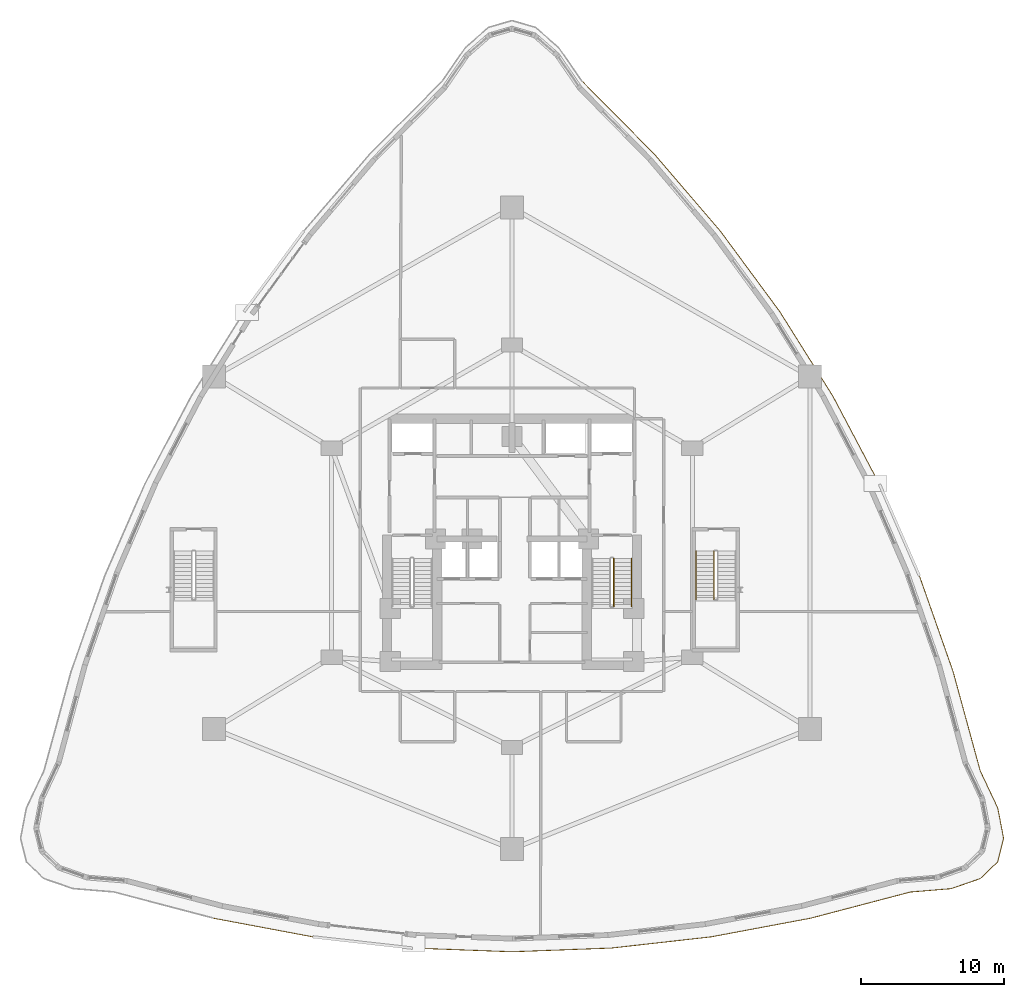
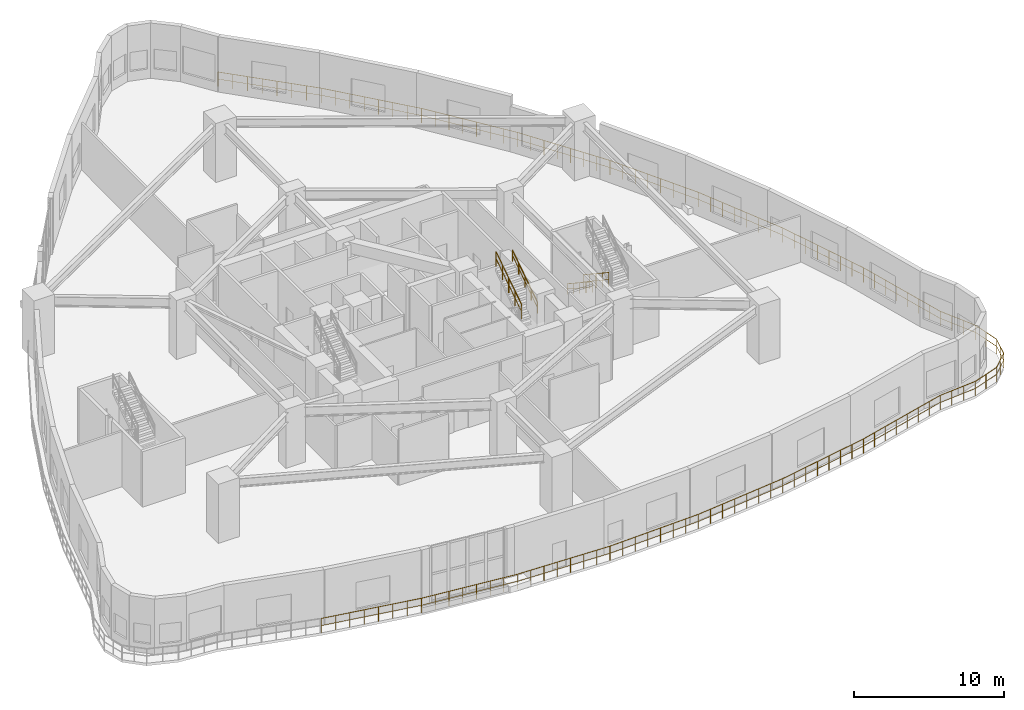
# One storey, part 21 of 23: 5 railings.
"""IFC4 building model written with IfcOpenShell, lengths in metres."""

from ifc_helpers import new_model, si_unit, direction, frame, origin, origin_2d, place, context, subcontext, project, spatial, circle, extrude, material, type_object, element, save


model = new_model("IFC4")

# Units and contexts
model_context = context("Model", 3, precision=1e-05, world=origin(), true_north=direction((0.0, 1.0)))
body_context = subcontext(model_context, "Body", "Model", "MODEL_VIEW")
ifc_project = project(units=[si_unit("LENGTHUNIT", "METRE"), si_unit("AREAUNIT", "SQUARE_METRE"), si_unit("VOLUMEUNIT", "CUBIC_METRE"), si_unit("PLANEANGLEUNIT", "RADIAN"), si_unit("MASSUNIT", "GRAM", prefix="KILO")], contexts=[model_context])

# Site, building, storey
site_placement = place(None, origin())
site = spatial("IfcSite", under=ifc_project, at=site_placement, CompositionType="ELEMENT")
building_placement = place(site_placement, origin())
building = spatial("IfcBuilding", under=site, at=building_placement, Name="Miruveldt Soraemaru", CompositionType="ELEMENT")
storey_placement = place(building_placement, frame((0.0, 0.0, 14.39990234375)))
storey = spatial("IfcBuildingStorey", under=building, at=storey_placement, Name="L04", CompositionType="ELEMENT", Elevation=14.39990234375)

# Railings
ifc_material_1 = material(Name="Anodised aluminium EN AW-6063 T6", Category="aluminium")
railing_type_1 = type_object("IfcRailingType", Name="RAIL-GUARD-1200", PredefinedType="GUARDRAIL", material=ifc_material_1)
railing_1_placement = place(storey_placement, frame((23.139892578125, 17.57470703125, 0.0)))
element("IfcRailing", 1, at=railing_1_placement, inside=storey, type_object=railing_type_1, Name="L04 Planted Terrace Perimeter Guardrail (B)", PredefinedType="GUARDRAIL", context=body_context, shape_type="SweptSolid", body=[
    extrude(circle(Radius=0.02392578125, at=origin_2d()), frame((0.0, 0.0, 1.17578125), z_axis=(0.982874530837, -0.184276033799, 0.0), x_axis=(0.184276033799, 0.982874530837, 0.0)), (0.0, 0.0, 1.0), 7.07470703125),
    extrude(circle(Radius=0.01611328125, at=origin_2d()), frame((0.0, 0.0, 0.60009765625), z_axis=(0.982874530837, -0.184276033799, 0.0), x_axis=(0.184276033799, 0.982874530837, 0.0)), (0.0, 0.0, 1.0), 7.07470703125),
    extrude(circle(Radius=0.02392578125, at=origin_2d()), frame((6.95361328125, -1.3037109375, 1.17578125), z_axis=(0.993731316159, -0.111794773068, 0.0), x_axis=(0.111794773068, 0.993731316159, 0.0)), (0.0, 0.0, 1.0), 6.9970703125),
    extrude(circle(Radius=0.01611328125, at=origin_2d()), frame((6.95361328125, -1.3037109375, 0.60009765625), z_axis=(0.993731316159, -0.111794773068, 0.0), x_axis=(0.111794773068, 0.993731316159, 0.0)), (0.0, 0.0, 1.0), 6.9970703125),
    extrude(circle(Radius=0.02392578125, at=origin_2d()), frame((13.90673828125, -2.0859375, 1.17578125), z_axis=(0.999297664979, -0.037472346694, 0.0), x_axis=(0.037472346694, 0.999297664979, 0.0)), (0.0, 0.0, 1.0), 6.958251953125),
    extrude(circle(Radius=0.01611328125, at=origin_2d()), frame((13.90673828125, -2.0859375, 0.60009765625), z_axis=(0.999297664979, -0.037472346694, 0.0), x_axis=(0.037472346694, 0.999297664979, 0.0)), (0.0, 0.0, 1.0), 6.958251953125),
    extrude(circle(Radius=0.02392578125, at=origin_2d()), frame((20.860107421875, -2.3466796875, 1.17578125), z_axis=(0.999297664979, 0.037472346694, 0.0), x_axis=(-0.037472346694, 0.999297664979, 0.0)), (0.0, 0.0, 1.0), 6.958251953125),
    extrude(circle(Radius=0.01611328125, at=origin_2d()), frame((20.860107421875, -2.3466796875, 0.60009765625), z_axis=(0.999297664979, 0.037472346694, 0.0), x_axis=(-0.037472346694, 0.999297664979, 0.0)), (0.0, 0.0, 1.0), 6.958251953125),
    extrude(circle(Radius=0.02392578125, at=origin_2d()), frame((27.8134765625, -2.0859375, 1.17578125), z_axis=(0.993731316159, 0.111794773068, 0.0), x_axis=(-0.111794773068, 0.993731316159, 0.0)), (0.0, 0.0, 1.0), 6.9970703125),
    extrude(circle(Radius=0.01611328125, at=origin_2d()), frame((27.8134765625, -2.0859375, 0.60009765625), z_axis=(0.993731316159, 0.111794773068, 0.0), x_axis=(-0.111794773068, 0.993731316159, 0.0)), (0.0, 0.0, 1.0), 6.9970703125),
    extrude(circle(Radius=0.02392578125, at=origin_2d()), frame((34.7666015625, -1.3037109375, 1.17578125), z_axis=(0.982874530837, 0.184276033799, 0.0), x_axis=(-0.184276033799, 0.982874530837, 0.0)), (0.0, 0.0, 1.0), 7.07470703125),
    extrude(circle(Radius=0.01611328125, at=origin_2d()), frame((34.7666015625, -1.3037109375, 0.60009765625), z_axis=(0.982874530837, 0.184276033799, 0.0), x_axis=(-0.184276033799, 0.982874530837, 0.0)), (0.0, 0.0, 1.0), 7.07470703125),
    extrude(circle(Radius=0.02392578125, at=origin_2d()), frame((41.72021484375, 0.0, 1.17578125), z_axis=(0.967230965379, 0.253898128412, 0.0), x_axis=(-0.253898128412, 0.967230965379, 0.0)), (0.0, 0.0, 1.0), 7.188720703125),
    extrude(circle(Radius=0.01611328125, at=origin_2d()), frame((41.72021484375, 0.0, 0.60009765625), z_axis=(0.967230965379, 0.253898128412, 0.0), x_axis=(-0.253898128412, 0.967230965379, 0.0)), (0.0, 0.0, 1.0), 7.188720703125),
    extrude(circle(Radius=0.02392578125, at=origin_2d()), frame((48.67333984375, 1.8251953125, 1.17578125), z_axis=(0.99661546035, 0.082204769877, 0.0), x_axis=(-0.082204769877, 0.99661546035, 0.0)), (0.0, 0.0, 1.0), 2.860107421875),
    extrude(circle(Radius=0.01611328125, at=origin_2d()), frame((48.67333984375, 1.8251953125, 0.60009765625), z_axis=(0.99661546035, 0.082204769877, 0.0), x_axis=(-0.082204769877, 0.99661546035, 0.0)), (0.0, 0.0, 1.0), 2.860107421875),
    extrude(circle(Radius=0.02392578125, at=origin_2d()), frame((51.523681640625, 2.060302734375, 1.17578125), z_axis=(0.94490117058, 0.327355735916, 0.0), x_axis=(-0.327355735916, 0.94490117058, 0.0)), (0.0, 0.0, 1.0), 2.154541015625),
    extrude(circle(Radius=0.01611328125, at=origin_2d()), frame((51.523681640625, 2.060302734375, 0.60009765625), z_axis=(0.94490117058, 0.327355735916, 0.0), x_axis=(-0.327355735916, 0.94490117058, 0.0)), (0.0, 0.0, 1.0), 2.154541015625),
    extrude(circle(Radius=0.02392578125, at=origin_2d()), frame((53.5595703125, 2.765625, 1.17578125), z_axis=(0.720586694401, 0.693364850459, 0.0), x_axis=(-0.693364850459, 0.720586694401, 0.0)), (0.0, 0.0, 1.0), 1.695068359375),
    extrude(circle(Radius=0.01611328125, at=origin_2d()), frame((53.5595703125, 2.765625, 0.60009765625), z_axis=(0.720586694401, 0.693364850459, 0.0), x_axis=(-0.693364850459, 0.720586694401, 0.0)), (0.0, 0.0, 1.0), 1.695068359375),
    extrude(circle(Radius=0.02392578125, at=origin_2d()), frame((54.781005859375, 3.94091796875, 1.17578125), z_axis=(0.240196989846, 0.9707241658, 0.0), x_axis=(-0.9707241658, 0.240196989846, 0.0)), (0.0, 0.0, 1.0), 1.6953125),
    extrude(circle(Radius=0.01611328125, at=origin_2d()), frame((54.781005859375, 3.94091796875, 0.60009765625), z_axis=(0.240196989846, 0.9707241658, 0.0), x_axis=(-0.9707241658, 0.240196989846, 0.0)), (0.0, 0.0, 1.0), 1.6953125),
    extrude(circle(Radius=0.02392578125, at=origin_2d()), frame((55.188232421875, 5.586669921875, 1.17578125), z_axis=(-0.189007097064, 0.981975721319, 0.0), x_axis=(-0.981975721319, -0.189007097064, 0.0)), (0.0, 0.0, 1.0), 2.154541015625),
    extrude(circle(Radius=0.01611328125, at=origin_2d()), frame((55.188232421875, 5.586669921875, 0.60009765625), z_axis=(-0.189007097064, 0.981975721319, 0.0), x_axis=(-0.981975721319, -0.189007097064, 0.0)), (0.0, 0.0, 1.0), 2.154541015625),
    extrude(circle(Radius=0.02392578125, at=origin_2d()), frame((54.781005859375, 7.702392578125, 1.17578125), z_axis=(-0.427091616751, 0.904208355912, 0.0), x_axis=(-0.904208355912, -0.427091616751, 0.0)), (0.0, 0.0, 1.0), 2.85986328125),
    extrude(circle(Radius=0.01611328125, at=origin_2d()), frame((54.781005859375, 7.702392578125, 0.60009765625), z_axis=(-0.427091616751, 0.904208355912, 0.0), x_axis=(-0.904208355912, -0.427091616751, 0.0)), (0.0, 0.0, 1.0), 2.85986328125),
    extrude(circle(Radius=0.02392578125, at=origin_2d()), frame((53.5595703125, 10.288330078125, 1.17578125), z_axis=(-0.263740926567, 0.964593553604, 0.0), x_axis=(-0.964593553604, -0.263740926567, 0.0)), (0.0, 0.0, 1.0), 7.18896484375),
    extrude(circle(Radius=0.01611328125, at=origin_2d()), frame((53.5595703125, 10.288330078125, 0.60009765625), z_axis=(-0.263740926567, 0.964593553604, 0.0), x_axis=(-0.964593553604, -0.263740926567, 0.0)), (0.0, 0.0, 1.0), 7.18896484375),
    extrude(circle(Radius=0.02392578125, at=origin_2d()), frame((51.66357421875, 17.22265625, 1.17578125), z_axis=(-0.33184877494, 0.943332598064, 0.0), x_axis=(-0.943332598064, -0.33184877494, 0.0)), (0.0, 0.0, 1.0), 7.074462890625),
    extrude(circle(Radius=0.01611328125, at=origin_2d()), frame((51.66357421875, 17.22265625, 0.60009765625), z_axis=(-0.33184877494, 0.943332598064, 0.0), x_axis=(-0.943332598064, -0.33184877494, 0.0)), (0.0, 0.0, 1.0), 7.074462890625),
    extrude(circle(Radius=0.02392578125, at=origin_2d()), frame((49.31591796875, 23.896240234375, 1.17578125), z_axis=(-0.400062759218, 0.916487746065, 0.0), x_axis=(-0.916487746065, -0.400062759218, 0.0)), (0.0, 0.0, 1.0), 6.997314453125),
    extrude(circle(Radius=0.01611328125, at=origin_2d()), frame((49.31591796875, 23.896240234375, 0.60009765625), z_axis=(-0.400062759218, 0.916487746065, 0.0), x_axis=(-0.916487746065, -0.400062759218, 0.0)), (0.0, 0.0, 1.0), 6.997314453125),
    extrude(circle(Radius=0.02392578125, at=origin_2d()), frame((46.5166015625, 30.30908203125, 1.17578125), z_axis=(-0.467184692554, 0.88415974973, 0.0), x_axis=(-0.88415974973, -0.467184692554, 0.0)), (0.0, 0.0, 1.0), 6.958251953125),
    extrude(circle(Radius=0.01611328125, at=origin_2d()), frame((46.5166015625, 30.30908203125, 0.60009765625), z_axis=(-0.467184692554, 0.88415974973, 0.0), x_axis=(-0.88415974973, -0.467184692554, 0.0)), (0.0, 0.0, 1.0), 6.958251953125),
    extrude(circle(Radius=0.02392578125, at=origin_2d()), frame((43.265869140625, 36.461181640625, 1.17578125), z_axis=(-0.532078848531, 0.846694808621, 0.0), x_axis=(-0.846694808621, -0.532078848531, 0.0)), (0.0, 0.0, 1.0), 6.958251953125),
    extrude(circle(Radius=0.01611328125, at=origin_2d()), frame((43.265869140625, 36.461181640625, 0.60009765625), z_axis=(-0.532078848531, 0.846694808621, 0.0), x_axis=(-0.846694808621, -0.532078848531, 0.0)), (0.0, 0.0, 1.0), 6.958251953125),
    extrude(circle(Radius=0.02392578125, at=origin_2d()), frame((39.5634765625, 42.352783203125, 1.17578125), z_axis=(-0.593678581032, 0.804702269429, 0.0), x_axis=(-0.804702269429, -0.593678581032, 0.0)), (0.0, 0.0, 1.0), 6.9970703125),
    extrude(circle(Radius=0.01611328125, at=origin_2d()), frame((39.5634765625, 42.352783203125, 0.60009765625), z_axis=(-0.593678581032, 0.804702269429, 0.0), x_axis=(-0.804702269429, -0.593678581032, 0.0)), (0.0, 0.0, 1.0), 6.9970703125),
    extrude(circle(Radius=0.02392578125, at=origin_2d()), frame((35.409423828125, 47.9833984375, 1.17578125), z_axis=(-0.65103291117, 0.759049503375, 0.0), x_axis=(-0.759049503375, -0.65103291117, 0.0)), (0.0, 0.0, 1.0), 7.074462890625),
    extrude(circle(Radius=0.01611328125, at=origin_2d()), frame((35.409423828125, 47.9833984375, 0.60009765625), z_axis=(-0.65103291117, 0.759049503375, 0.0), x_axis=(-0.759049503375, -0.65103291117, 0.0)), (0.0, 0.0, 1.0), 7.074462890625),
    extrude(circle(Radius=0.02392578125, at=origin_2d()), frame((30.8037109375, 53.353271484375, 1.17578125), z_axis=(-0.703521437721, 0.71067403686, 0.0), x_axis=(-0.71067403686, -0.703521437721, 0.0)), (0.0, 0.0, 1.0), 7.1337890625),
    extrude(circle(Radius=0.01611328125, at=origin_2d()), frame((30.8037109375, 53.353271484375, 0.60009765625), z_axis=(-0.703521437721, 0.71067403686, 0.0), x_axis=(-0.71067403686, -0.703521437721, 0.0)), (0.0, 0.0, 1.0), 7.1337890625),
    extrude(circle(Radius=0.02099609375, at=origin_2d()), origin(), (0.0, 0.0, 1.0), 1.15185546875),
    extrude(circle(Radius=0.02099609375, at=origin_2d()), frame((0.993408203125, -0.186279296875, 0.0)), (0.0, 0.0, 1.0), 1.15185546875),
    extrude(circle(Radius=0.02099609375, at=origin_2d()), frame((1.98681640625, -0.37255859375, 0.0)), (0.0, 0.0, 1.0), 1.15185546875),
    extrude(circle(Radius=0.02099609375, at=origin_2d()), frame((2.980224609375, -0.558837890625, 0.0)), (0.0, 0.0, 1.0), 1.15185546875),
    extrude(circle(Radius=0.02099609375, at=origin_2d()), frame((3.973388671875, -0.744873046875, 0.0)), (0.0, 0.0, 1.0), 1.15185546875),
    extrude(circle(Radius=0.02099609375, at=origin_2d()), frame((4.966796875, -0.93115234375, 0.0)), (0.0, 0.0, 1.0), 1.15185546875),
    extrude(circle(Radius=0.02099609375, at=origin_2d()), frame((5.960205078125, -1.117431640625, 0.0)), (0.0, 0.0, 1.0), 1.15185546875),
    extrude(circle(Radius=0.02099609375, at=origin_2d()), frame((6.95361328125, -1.3037109375, 0.0)), (0.0, 0.0, 1.0), 1.15185546875),
    extrude(circle(Radius=0.02099609375, at=origin_2d()), frame((7.947021484375, -1.41552734375, 0.0)), (0.0, 0.0, 1.0), 1.15185546875),
    extrude(circle(Radius=0.02099609375, at=origin_2d()), frame((8.940185546875, -1.527099609375, 0.0)), (0.0, 0.0, 1.0), 1.15185546875),
    extrude(circle(Radius=0.02099609375, at=origin_2d()), frame((9.93359375, -1.638916015625, 0.0)), (0.0, 0.0, 1.0), 1.15185546875),
    extrude(circle(Radius=0.02099609375, at=origin_2d()), frame((10.9267578125, -1.750732421875, 0.0)), (0.0, 0.0, 1.0), 1.15185546875),
    extrude(circle(Radius=0.02099609375, at=origin_2d()), frame((11.920166015625, -1.862548828125, 0.0)), (0.0, 0.0, 1.0), 1.15185546875),
    extrude(circle(Radius=0.02099609375, at=origin_2d()), frame((12.913330078125, -1.97412109375, 0.0)), (0.0, 0.0, 1.0), 1.15185546875),
    extrude(circle(Radius=0.02099609375, at=origin_2d()), frame((13.90673828125, -2.0859375, 0.0)), (0.0, 0.0, 1.0), 1.15185546875),
    extrude(circle(Radius=0.02099609375, at=origin_2d()), frame((14.900146484375, -2.123291015625, 0.0)), (0.0, 0.0, 1.0), 1.15185546875),
    extrude(circle(Radius=0.02099609375, at=origin_2d()), frame((15.893310546875, -2.160400390625, 0.0)), (0.0, 0.0, 1.0), 1.15185546875),
    extrude(circle(Radius=0.02099609375, at=origin_2d()), frame((16.88671875, -2.19775390625, 0.0)), (0.0, 0.0, 1.0), 1.15185546875),
    extrude(circle(Radius=0.02099609375, at=origin_2d()), frame((17.880126953125, -2.23486328125, 0.0)), (0.0, 0.0, 1.0), 1.15185546875),
    extrude(circle(Radius=0.02099609375, at=origin_2d()), frame((18.87353515625, -2.272216796875, 0.0)), (0.0, 0.0, 1.0), 1.15185546875),
    extrude(circle(Radius=0.02099609375, at=origin_2d()), frame((19.86669921875, -2.309326171875, 0.0)), (0.0, 0.0, 1.0), 1.15185546875),
    extrude(circle(Radius=0.02099609375, at=origin_2d()), frame((20.860107421875, -2.3466796875, 0.0)), (0.0, 0.0, 1.0), 1.15185546875),
    extrude(circle(Radius=0.02099609375, at=origin_2d()), frame((21.853515625, -2.309326171875, 0.0)), (0.0, 0.0, 1.0), 1.15185546875),
    extrude(circle(Radius=0.02099609375, at=origin_2d()), frame((22.8466796875, -2.272216796875, 0.0)), (0.0, 0.0, 1.0), 1.15185546875),
    extrude(circle(Radius=0.02099609375, at=origin_2d()), frame((23.840087890625, -2.23486328125, 0.0)), (0.0, 0.0, 1.0), 1.15185546875),
    extrude(circle(Radius=0.02099609375, at=origin_2d()), frame((24.83349609375, -2.19775390625, 0.0)), (0.0, 0.0, 1.0), 1.15185546875),
    extrude(circle(Radius=0.02099609375, at=origin_2d()), frame((25.826904296875, -2.160400390625, 0.0)), (0.0, 0.0, 1.0), 1.15185546875),
    extrude(circle(Radius=0.02099609375, at=origin_2d()), frame((26.820068359375, -2.123291015625, 0.0)), (0.0, 0.0, 1.0), 1.15185546875),
    extrude(circle(Radius=0.02099609375, at=origin_2d()), frame((27.8134765625, -2.0859375, 0.0)), (0.0, 0.0, 1.0), 1.15185546875),
    extrude(circle(Radius=0.02099609375, at=origin_2d()), frame((28.806884765625, -1.97412109375, 0.0)), (0.0, 0.0, 1.0), 1.15185546875),
    extrude(circle(Radius=0.02099609375, at=origin_2d()), frame((29.800048828125, -1.862548828125, 0.0)), (0.0, 0.0, 1.0), 1.15185546875),
    extrude(circle(Radius=0.02099609375, at=origin_2d()), frame((30.79345703125, -1.750732421875, 0.0)), (0.0, 0.0, 1.0), 1.15185546875),
    extrude(circle(Radius=0.02099609375, at=origin_2d()), frame((31.78662109375, -1.638916015625, 0.0)), (0.0, 0.0, 1.0), 1.15185546875),
    extrude(circle(Radius=0.02099609375, at=origin_2d()), frame((32.780029296875, -1.527099609375, 0.0)), (0.0, 0.0, 1.0), 1.15185546875),
    extrude(circle(Radius=0.02099609375, at=origin_2d()), frame((33.773193359375, -1.41552734375, 0.0)), (0.0, 0.0, 1.0), 1.15185546875),
    extrude(circle(Radius=0.02099609375, at=origin_2d()), frame((34.7666015625, -1.3037109375, 0.0)), (0.0, 0.0, 1.0), 1.15185546875),
    extrude(circle(Radius=0.02099609375, at=origin_2d()), frame((35.760009765625, -1.117431640625, 0.0)), (0.0, 0.0, 1.0), 1.15185546875),
    extrude(circle(Radius=0.02099609375, at=origin_2d()), frame((36.75341796875, -0.93115234375, 0.0)), (0.0, 0.0, 1.0), 1.15185546875),
    extrude(circle(Radius=0.02099609375, at=origin_2d()), frame((37.746826171875, -0.744873046875, 0.0)), (0.0, 0.0, 1.0), 1.15185546875),
    extrude(circle(Radius=0.02099609375, at=origin_2d()), frame((38.739990234375, -0.558837890625, 0.0)), (0.0, 0.0, 1.0), 1.15185546875),
    extrude(circle(Radius=0.02099609375, at=origin_2d()), frame((39.7333984375, -0.37255859375, 0.0)), (0.0, 0.0, 1.0), 1.15185546875),
    extrude(circle(Radius=0.02099609375, at=origin_2d()), frame((40.726806640625, -0.186279296875, 0.0)), (0.0, 0.0, 1.0), 1.15185546875),
    extrude(circle(Radius=0.02099609375, at=origin_2d()), frame((41.72021484375, 0.0, 0.0)), (0.0, 0.0, 1.0), 1.15185546875),
    extrude(circle(Radius=0.02099609375, at=origin_2d()), frame((42.713623046875, 0.2607421875, 0.0)), (0.0, 0.0, 1.0), 1.15185546875),
    extrude(circle(Radius=0.02099609375, at=origin_2d()), frame((43.706787109375, 0.521484375, 0.0)), (0.0, 0.0, 1.0), 1.15185546875),
    extrude(circle(Radius=0.02099609375, at=origin_2d()), frame((44.7001953125, 0.7822265625, 0.0)), (0.0, 0.0, 1.0), 1.15185546875),
    extrude(circle(Radius=0.02099609375, at=origin_2d()), frame((45.693359375, 1.04296875, 0.0)), (0.0, 0.0, 1.0), 1.15185546875),
    extrude(circle(Radius=0.02099609375, at=origin_2d()), frame((46.686767578125, 1.3037109375, 0.0)), (0.0, 0.0, 1.0), 1.15185546875),
    extrude(circle(Radius=0.02099609375, at=origin_2d()), frame((47.679931640625, 1.564453125, 0.0)), (0.0, 0.0, 1.0), 1.15185546875),
    extrude(circle(Radius=0.02099609375, at=origin_2d()), frame((48.67333984375, 1.8251953125, 0.0)), (0.0, 0.0, 1.0), 1.15185546875),
    extrude(circle(Radius=0.02099609375, at=origin_2d()), frame((49.62353515625, 1.903564453125, 0.0)), (0.0, 0.0, 1.0), 1.15185546875),
    extrude(circle(Radius=0.02099609375, at=origin_2d()), frame((50.573486328125, 1.98193359375, 0.0)), (0.0, 0.0, 1.0), 1.15185546875),
    extrude(circle(Radius=0.02099609375, at=origin_2d()), frame((51.523681640625, 2.060302734375, 0.0)), (0.0, 0.0, 1.0), 1.15185546875),
    extrude(circle(Radius=0.02099609375, at=origin_2d()), frame((52.54150390625, 2.4130859375, 0.0)), (0.0, 0.0, 1.0), 1.15185546875),
    extrude(circle(Radius=0.02099609375, at=origin_2d()), frame((53.5595703125, 2.765625, 0.0)), (0.0, 0.0, 1.0), 1.15185546875),
    extrude(circle(Radius=0.02099609375, at=origin_2d()), frame((54.17041015625, 3.353271484375, 0.0)), (0.0, 0.0, 1.0), 1.15185546875),
    extrude(circle(Radius=0.02099609375, at=origin_2d()), frame((54.781005859375, 3.94091796875, 0.0)), (0.0, 0.0, 1.0), 1.15185546875),
    extrude(circle(Radius=0.02099609375, at=origin_2d()), frame((54.984619140625, 4.763671875, 0.0)), (0.0, 0.0, 1.0), 1.15185546875),
    extrude(circle(Radius=0.02099609375, at=origin_2d()), frame((55.188232421875, 5.586669921875, 0.0)), (0.0, 0.0, 1.0), 1.15185546875),
    extrude(circle(Radius=0.02099609375, at=origin_2d()), frame((54.984619140625, 6.64453125, 0.0)), (0.0, 0.0, 1.0), 1.15185546875),
    extrude(circle(Radius=0.02099609375, at=origin_2d()), frame((54.781005859375, 7.702392578125, 0.0)), (0.0, 0.0, 1.0), 1.15185546875),
    extrude(circle(Radius=0.02099609375, at=origin_2d()), frame((54.373779296875, 8.564453125, 0.0)), (0.0, 0.0, 1.0), 1.15185546875),
    extrude(circle(Radius=0.02099609375, at=origin_2d()), frame((53.966796875, 9.42626953125, 0.0)), (0.0, 0.0, 1.0), 1.15185546875),
    extrude(circle(Radius=0.02099609375, at=origin_2d()), frame((53.5595703125, 10.288330078125, 0.0)), (0.0, 0.0, 1.0), 1.15185546875),
    extrude(circle(Radius=0.02099609375, at=origin_2d()), frame((53.288818359375, 11.279052734375, 0.0)), (0.0, 0.0, 1.0), 1.15185546875),
    extrude(circle(Radius=0.02099609375, at=origin_2d()), frame((53.017822265625, 12.26953125, 0.0)), (0.0, 0.0, 1.0), 1.15185546875),
    extrude(circle(Radius=0.02099609375, at=origin_2d()), frame((52.7470703125, 13.26025390625, 0.0)), (0.0, 0.0, 1.0), 1.15185546875),
    extrude(circle(Radius=0.02099609375, at=origin_2d()), frame((52.47607421875, 14.250732421875, 0.0)), (0.0, 0.0, 1.0), 1.15185546875),
    extrude(circle(Radius=0.02099609375, at=origin_2d()), frame((52.205322265625, 15.241455078125, 0.0)), (0.0, 0.0, 1.0), 1.15185546875),
    extrude(circle(Radius=0.02099609375, at=origin_2d()), frame((51.934326171875, 16.23193359375, 0.0)), (0.0, 0.0, 1.0), 1.15185546875),
    extrude(circle(Radius=0.02099609375, at=origin_2d()), frame((51.66357421875, 17.22265625, 0.0)), (0.0, 0.0, 1.0), 1.15185546875),
    extrude(circle(Radius=0.02099609375, at=origin_2d()), frame((51.328125, 18.176025390625, 0.0)), (0.0, 0.0, 1.0), 1.15185546875),
    extrude(circle(Radius=0.02099609375, at=origin_2d()), frame((50.992919921875, 19.12939453125, 0.0)), (0.0, 0.0, 1.0), 1.15185546875),
    extrude(circle(Radius=0.02099609375, at=origin_2d()), frame((50.657470703125, 20.082763671875, 0.0)), (0.0, 0.0, 1.0), 1.15185546875),
    extrude(circle(Radius=0.02099609375, at=origin_2d()), frame((50.322021484375, 21.0361328125, 0.0)), (0.0, 0.0, 1.0), 1.15185546875),
    extrude(circle(Radius=0.02099609375, at=origin_2d()), frame((49.986572265625, 21.989501953125, 0.0)), (0.0, 0.0, 1.0), 1.15185546875),
    extrude(circle(Radius=0.02099609375, at=origin_2d()), frame((49.6513671875, 22.94287109375, 0.0)), (0.0, 0.0, 1.0), 1.15185546875),
    extrude(circle(Radius=0.02099609375, at=origin_2d()), frame((49.31591796875, 23.896240234375, 0.0)), (0.0, 0.0, 1.0), 1.15185546875),
    extrude(circle(Radius=0.02099609375, at=origin_2d()), frame((48.916015625, 24.812255859375, 0.0)), (0.0, 0.0, 1.0), 1.15185546875),
    extrude(circle(Radius=0.02099609375, at=origin_2d()), frame((48.51611328125, 25.728515625, 0.0)), (0.0, 0.0, 1.0), 1.15185546875),
    extrude(circle(Radius=0.02099609375, at=origin_2d()), frame((48.1162109375, 26.64453125, 0.0)), (0.0, 0.0, 1.0), 1.15185546875),
    extrude(circle(Radius=0.02099609375, at=origin_2d()), frame((47.71630859375, 27.560791015625, 0.0)), (0.0, 0.0, 1.0), 1.15185546875),
    extrude(circle(Radius=0.02099609375, at=origin_2d()), frame((47.31640625, 28.476806640625, 0.0)), (0.0, 0.0, 1.0), 1.15185546875),
    extrude(circle(Radius=0.02099609375, at=origin_2d()), frame((46.91650390625, 29.39306640625, 0.0)), (0.0, 0.0, 1.0), 1.15185546875),
    extrude(circle(Radius=0.02099609375, at=origin_2d()), frame((46.5166015625, 30.30908203125, 0.0)), (0.0, 0.0, 1.0), 1.15185546875),
    extrude(circle(Radius=0.02099609375, at=origin_2d()), frame((46.05224609375, 31.18798828125, 0.0)), (0.0, 0.0, 1.0), 1.15185546875),
    extrude(circle(Radius=0.02099609375, at=origin_2d()), frame((45.587890625, 32.06689453125, 0.0)), (0.0, 0.0, 1.0), 1.15185546875),
    extrude(circle(Radius=0.02099609375, at=origin_2d()), frame((45.12353515625, 32.94580078125, 0.0)), (0.0, 0.0, 1.0), 1.15185546875),
    extrude(circle(Radius=0.02099609375, at=origin_2d()), frame((44.658935546875, 33.824462890625, 0.0)), (0.0, 0.0, 1.0), 1.15185546875),
    extrude(circle(Radius=0.02099609375, at=origin_2d()), frame((44.194580078125, 34.703369140625, 0.0)), (0.0, 0.0, 1.0), 1.15185546875),
    extrude(circle(Radius=0.02099609375, at=origin_2d()), frame((43.730224609375, 35.582275390625, 0.0)), (0.0, 0.0, 1.0), 1.15185546875),
    extrude(circle(Radius=0.02099609375, at=origin_2d()), frame((43.265869140625, 36.461181640625, 0.0)), (0.0, 0.0, 1.0), 1.15185546875),
    extrude(circle(Radius=0.02099609375, at=origin_2d()), frame((42.737060546875, 37.302734375, 0.0)), (0.0, 0.0, 1.0), 1.15185546875),
    extrude(circle(Radius=0.02099609375, at=origin_2d()), frame((42.2080078125, 38.14453125, 0.0)), (0.0, 0.0, 1.0), 1.15185546875),
    extrude(circle(Radius=0.02099609375, at=origin_2d()), frame((41.67919921875, 38.986083984375, 0.0)), (0.0, 0.0, 1.0), 1.15185546875),
    extrude(circle(Radius=0.02099609375, at=origin_2d()), frame((41.150146484375, 39.827880859375, 0.0)), (0.0, 0.0, 1.0), 1.15185546875),
    extrude(circle(Radius=0.02099609375, at=origin_2d()), frame((40.621337890625, 40.66943359375, 0.0)), (0.0, 0.0, 1.0), 1.15185546875),
    extrude(circle(Radius=0.02099609375, at=origin_2d()), frame((40.09228515625, 41.51123046875, 0.0)), (0.0, 0.0, 1.0), 1.15185546875),
    extrude(circle(Radius=0.02099609375, at=origin_2d()), frame((39.5634765625, 42.352783203125, 0.0)), (0.0, 0.0, 1.0), 1.15185546875),
    extrude(circle(Radius=0.02099609375, at=origin_2d()), frame((38.969970703125, 43.1572265625, 0.0)), (0.0, 0.0, 1.0), 1.15185546875),
    extrude(circle(Radius=0.02099609375, at=origin_2d()), frame((38.376708984375, 43.96142578125, 0.0)), (0.0, 0.0, 1.0), 1.15185546875),
    extrude(circle(Radius=0.02099609375, at=origin_2d()), frame((37.783203125, 44.765869140625, 0.0)), (0.0, 0.0, 1.0), 1.15185546875),
    extrude(circle(Radius=0.02099609375, at=origin_2d()), frame((37.189697265625, 45.5703125, 0.0)), (0.0, 0.0, 1.0), 1.15185546875),
    extrude(circle(Radius=0.02099609375, at=origin_2d()), frame((36.59619140625, 46.374755859375, 0.0)), (0.0, 0.0, 1.0), 1.15185546875),
    extrude(circle(Radius=0.02099609375, at=origin_2d()), frame((36.0029296875, 47.178955078125, 0.0)), (0.0, 0.0, 1.0), 1.15185546875),
    extrude(circle(Radius=0.02099609375, at=origin_2d()), frame((35.409423828125, 47.9833984375, 0.0)), (0.0, 0.0, 1.0), 1.15185546875),
    extrude(circle(Radius=0.02099609375, at=origin_2d()), frame((34.75146484375, 48.75048828125, 0.0)), (0.0, 0.0, 1.0), 1.15185546875),
    extrude(circle(Radius=0.02099609375, at=origin_2d()), frame((34.093505859375, 49.517578125, 0.0)), (0.0, 0.0, 1.0), 1.15185546875),
    extrude(circle(Radius=0.02099609375, at=origin_2d()), frame((33.435546875, 50.28466796875, 0.0)), (0.0, 0.0, 1.0), 1.15185546875),
    extrude(circle(Radius=0.02099609375, at=origin_2d()), frame((32.777587890625, 51.052001953125, 0.0)), (0.0, 0.0, 1.0), 1.15185546875),
    extrude(circle(Radius=0.02099609375, at=origin_2d()), frame((32.11962890625, 51.819091796875, 0.0)), (0.0, 0.0, 1.0), 1.15185546875),
    extrude(circle(Radius=0.02099609375, at=origin_2d()), frame((31.461669921875, 52.586181640625, 0.0)), (0.0, 0.0, 1.0), 1.15185546875),
    extrude(circle(Radius=0.02099609375, at=origin_2d()), frame((30.8037109375, 53.353271484375, 0.0)), (0.0, 0.0, 1.0), 1.15185546875),
    extrude(circle(Radius=0.02099609375, at=origin_2d()), frame((30.086669921875, 54.07763671875, 0.0)), (0.0, 0.0, 1.0), 1.15185546875),
    extrude(circle(Radius=0.02099609375, at=origin_2d()), frame((29.369873046875, 54.8017578125, 0.0)), (0.0, 0.0, 1.0), 1.15185546875),
    extrude(circle(Radius=0.02099609375, at=origin_2d()), frame((28.65283203125, 55.526123046875, 0.0)), (0.0, 0.0, 1.0), 1.15185546875),
    extrude(circle(Radius=0.02099609375, at=origin_2d()), frame((27.935791015625, 56.250244140625, 0.0)), (0.0, 0.0, 1.0), 1.15185546875),
    extrude(circle(Radius=0.02099609375, at=origin_2d()), frame((27.21875, 56.974609375, 0.0)), (0.0, 0.0, 1.0), 1.15185546875),
    extrude(circle(Radius=0.02099609375, at=origin_2d()), frame((26.501953125, 57.69873046875, 0.0)), (0.0, 0.0, 1.0), 1.15185546875),
    extrude(circle(Radius=0.02099609375, at=origin_2d()), frame((25.784912109375, 58.423095703125, 0.0)), (0.0, 0.0, 1.0), 1.15185546875),
])
ifc_material_2 = material(Name="Steel S355 (355 MPa)", Category="steel")
railing_type_2 = type_object("IfcRailingType", Name="RAIL-HR-900", PredefinedType="HANDRAIL", material=ifc_material_2)
railing_2_placement = place(storey_placement, frame((52.35009765625, 39.340087890625, 2.584716796875)))
element("IfcRailing", 2, at=railing_2_placement, inside=storey, type_object=railing_type_2, Name="L04 ST-2 stair handrail 2", PredefinedType="HANDRAIL", context=body_context, shape_type="SweptSolid", body=[
    extrude(circle(Radius=0.02392578125, at=origin_2d()), frame((0.0, 0.0, 0.8759765625), z_axis=(0.0, 0.834858096282, 0.550465220583), x_axis=(-1.0, 0.0, 0.0)), (0.0, 0.0, 1.0), 4.0244140625),
    extrude(circle(Radius=0.01611328125, at=origin_2d()), frame((0.0, 0.0, 0.449951171875), z_axis=(0.0, 0.834858096282, 0.550465220583), x_axis=(-1.0, 0.0, 0.0)), (0.0, 0.0, 1.0), 4.0244140625),
    extrude(circle(Radius=0.02099609375, at=origin_2d()), origin(), (0.0, 0.0, 1.0), 0.851806640625),
    extrude(circle(Radius=0.02099609375, at=origin_2d()), frame((0.0, 0.83984375, 0.5537109375)), (0.0, 0.0, 1.0), 0.851806640625),
    extrude(circle(Radius=0.02099609375, at=origin_2d()), frame((0.0, 1.679931640625, 1.107666015625)), (0.0, 0.0, 1.0), 0.851806640625),
    extrude(circle(Radius=0.02099609375, at=origin_2d()), frame((0.0, 2.52001953125, 1.66162109375)), (0.0, 0.0, 1.0), 0.851806640625),
    extrude(circle(Radius=0.02099609375, at=origin_2d()), frame((0.0, 3.35986328125, 2.21533203125)), (0.0, 0.0, 1.0), 0.851806640625),
])
railing_3_placement = place(storey_placement, frame((56.85009765625, 43.199951171875, 0.184814453125)))
element("IfcRailing", 3, at=railing_3_placement, inside=storey, type_object=railing_type_2, Name="L04 ST-4 stair handrail 1", PredefinedType="HANDRAIL", context=body_context, shape_type="SweptSolid", body=[
    extrude(circle(Radius=0.02392578125, at=origin_2d()), frame((0.0, 0.0, 0.8759765625), z_axis=(0.0, -0.834858096282, 0.550465220583), x_axis=(1.0, 0.0, 0.0)), (0.0, 0.0, 1.0), 4.0244140625),
    extrude(circle(Radius=0.01611328125, at=origin_2d()), frame((0.0, 0.0, 0.449951171875), z_axis=(0.0, -0.834858096282, 0.550465220583), x_axis=(1.0, 0.0, 0.0)), (0.0, 0.0, 1.0), 4.0244140625),
    extrude(circle(Radius=0.02099609375, at=origin_2d()), origin(), (0.0, 0.0, 1.0), 0.851806640625),
    extrude(circle(Radius=0.02099609375, at=origin_2d()), frame((0.0, -0.83984375, 0.5537109375)), (0.0, 0.0, 1.0), 0.851806640625),
    extrude(circle(Radius=0.02099609375, at=origin_2d()), frame((0.0, -1.679931640625, 1.107666015625)), (0.0, 0.0, 1.0), 0.851806640625),
    extrude(circle(Radius=0.02099609375, at=origin_2d()), frame((0.0, -2.52001953125, 1.66162109375)), (0.0, 0.0, 1.0), 0.851806640625),
    extrude(circle(Radius=0.02099609375, at=origin_2d()), frame((0.0, -3.35986328125, 2.21533203125)), (0.0, 0.0, 1.0), 0.851806640625),
])
railing_type_3 = type_object("IfcRailingType", Name="RAIL-STGUARD-1200", PredefinedType="GUARDRAIL", material=ifc_material_2)
railing_4_placement = place(storey_placement, frame((51.10009765625, 39.340087890625, 2.584716796875)))
element("IfcRailing", 4, at=railing_4_placement, inside=storey, type_object=railing_type_3, Name="L04 ST-2 stair guard 3", PredefinedType="GUARDRAIL", context=body_context, shape_type="SweptSolid", body=[
    extrude(circle(Radius=0.02392578125, at=origin_2d()), frame((0.0, 0.0, 1.17578125), z_axis=(0.0, 0.834858096282, 0.550465220583), x_axis=(-1.0, 0.0, 0.0)), (0.0, 0.0, 1.0), 4.0244140625),
    extrude(circle(Radius=0.01611328125, at=origin_2d()), frame((0.0, 0.0, 0.60009765625), z_axis=(0.0, 0.834858096282, 0.550465220583), x_axis=(-1.0, 0.0, 0.0)), (0.0, 0.0, 1.0), 4.0244140625),
    extrude(circle(Radius=0.02099609375, at=origin_2d()), origin(), (0.0, 0.0, 1.0), 1.15185546875),
    extrude(circle(Radius=0.02099609375, at=origin_2d()), frame((0.0, 0.83984375, 0.5537109375)), (0.0, 0.0, 1.0), 1.15185546875),
    extrude(circle(Radius=0.02099609375, at=origin_2d()), frame((0.0, 1.679931640625, 1.107666015625)), (0.0, 0.0, 1.0), 1.15185546875),
    extrude(circle(Radius=0.02099609375, at=origin_2d()), frame((0.0, 2.52001953125, 1.66162109375)), (0.0, 0.0, 1.0), 1.15185546875),
    extrude(circle(Radius=0.02099609375, at=origin_2d()), frame((0.0, 3.35986328125, 2.21533203125)), (0.0, 0.0, 1.0), 1.15185546875),
])
railing_5_placement = place(storey_placement, frame((58.10009765625, 43.199951171875, 0.184814453125)))
element("IfcRailing", 5, at=railing_5_placement, inside=storey, type_object=railing_type_3, Name="L04 ST-4 stair guard 1", PredefinedType="GUARDRAIL", context=body_context, shape_type="SweptSolid", body=[
    extrude(circle(Radius=0.02392578125, at=origin_2d()), frame((0.0, 0.0, 1.17578125), z_axis=(0.0, -0.834858096282, 0.550465220583), x_axis=(1.0, 0.0, 0.0)), (0.0, 0.0, 1.0), 4.0244140625),
    extrude(circle(Radius=0.01611328125, at=origin_2d()), frame((0.0, 0.0, 0.60009765625), z_axis=(0.0, -0.834858096282, 0.550465220583), x_axis=(1.0, 0.0, 0.0)), (0.0, 0.0, 1.0), 4.0244140625),
    extrude(circle(Radius=0.02099609375, at=origin_2d()), origin(), (0.0, 0.0, 1.0), 1.15185546875),
    extrude(circle(Radius=0.02099609375, at=origin_2d()), frame((0.0, -0.83984375, 0.5537109375)), (0.0, 0.0, 1.0), 1.15185546875),
    extrude(circle(Radius=0.02099609375, at=origin_2d()), frame((0.0, -1.679931640625, 1.107666015625)), (0.0, 0.0, 1.0), 1.15185546875),
    extrude(circle(Radius=0.02099609375, at=origin_2d()), frame((0.0, -2.52001953125, 1.66162109375)), (0.0, 0.0, 1.0), 1.15185546875),
    extrude(circle(Radius=0.02099609375, at=origin_2d()), frame((0.0, -3.35986328125, 2.21533203125)), (0.0, 0.0, 1.0), 1.15185546875),
])

save(model, "model.ifc")
